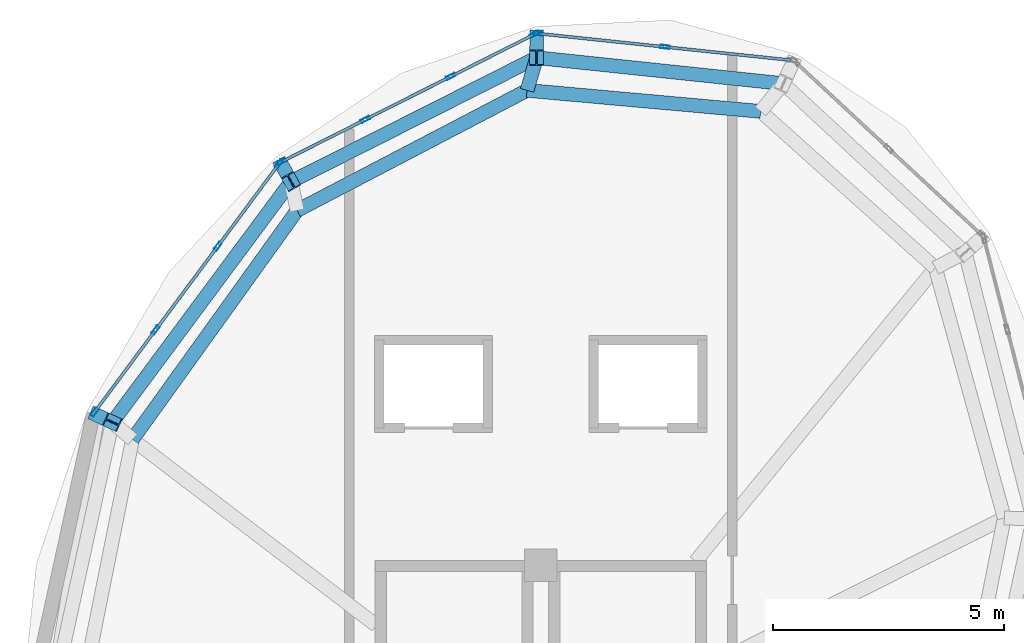
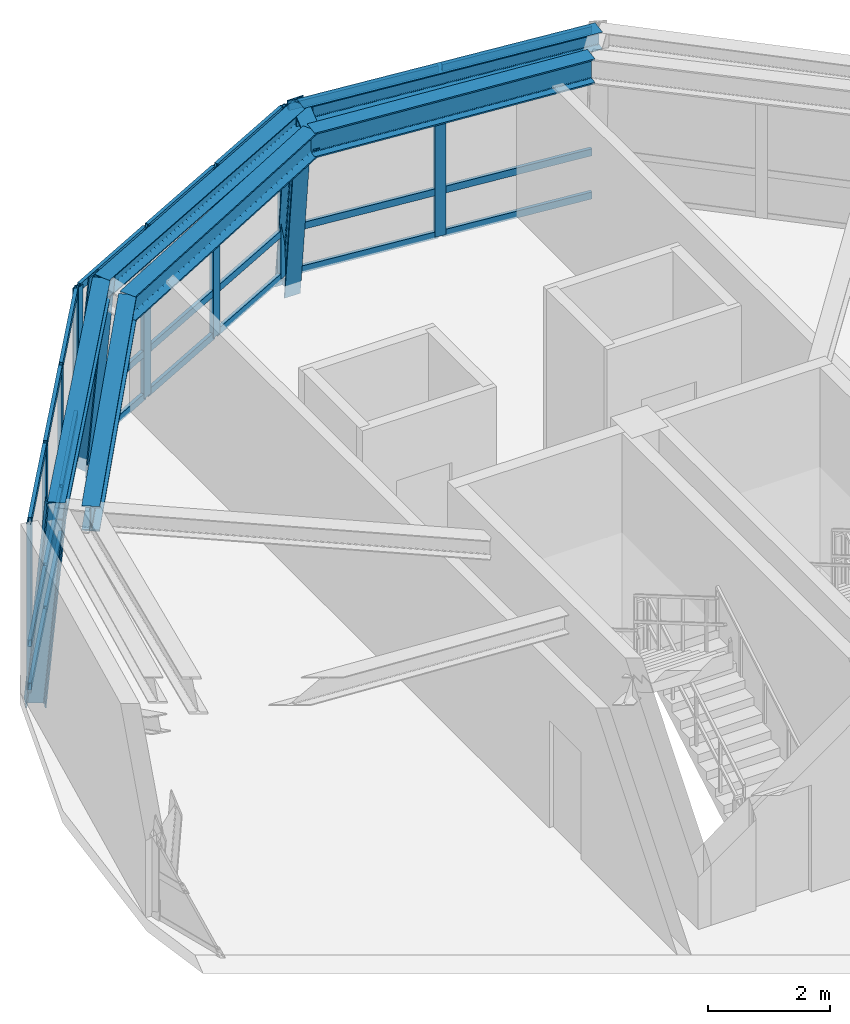
# One storey, part 5 of 9: 37 members, 7 beams, 3 elements without a shape of their own.
"""IFC4 building model written with IfcOpenShell, lengths in metres."""

from ifc_helpers import new_model, si_unit, direction, frame, origin, origin_2d, place, context, subcontext, project, spatial, hollow_rectangle, i_section, extrude, material, layer, layer_set, material_profile, profile_set, type_object, element, aggregate, save


model = new_model("IFC4")

# Units and contexts
model_context = context("Model", 3, precision=1e-05, world=origin(), true_north=direction((0.0, 1.0)))
body_context = subcontext(model_context, "Body", "Model", "MODEL_VIEW")
ifc_project = project(units=[si_unit("LENGTHUNIT", "METRE"), si_unit("AREAUNIT", "SQUARE_METRE"), si_unit("VOLUMEUNIT", "CUBIC_METRE"), si_unit("PLANEANGLEUNIT", "RADIAN"), si_unit("MASSUNIT", "GRAM", prefix="KILO"), si_unit("THERMODYNAMICTEMPERATUREUNIT", "KELVIN"), si_unit("POWERUNIT", "WATT")], contexts=[model_context])

# Site, building, storey
site_placement = place(None, origin())
site = spatial("IfcSite", under=ifc_project, at=site_placement, CompositionType="ELEMENT")
building_placement = place(site_placement, origin())
building = spatial("IfcBuilding", under=site, at=building_placement, Name="Ocrelia Relay Tower", CompositionType="ELEMENT")
storey_placement = place(building_placement, frame((0.0, 0.0, 300.0)))
storey = spatial("IfcBuildingStorey", under=building, at=storey_placement, Name="L75", CompositionType="ELEMENT", Elevation=300.0)

# Beams
ifc_material_1 = material(Name="Steel S355", Category="steel")
ifc_material_profile_1 = material_profile(ifc_material_1, i_section(OverallWidth=0.300048828125, OverallDepth=0.35009765625, WebThickness=0.010009765625, FlangeThickness=0.017578125, FilletRadius=0.027099609375, at=origin_2d()), Name="HEA 360")
ifc_profile_set_1 = profile_set([ifc_material_profile_1], Name="Steel S355")
beam_type_1 = type_object("IfcBeamType", Name="BM-HEA360", PredefinedType="SPANDREL", material=ifc_profile_set_1)
beam_1_placement = place(storey_placement, frame((39.256591796875, 37.56103515625, 3.574951171875), z_axis=(-0.994521365969, 0.104533500044, 0.0), x_axis=(-0.104533500044, -0.994521365969, 0.0)))
element("IfcBeam", 1, at=beam_1_placement, inside=storey, type_object=beam_type_1, Name="L75 Crown Faceted Ring Beam R01", PredefinedType="SPANDREL", context=body_context, shape_type="SweptSolid", body=[
    extrude(i_section(OverallWidth=0.300048828125, OverallDepth=0.35009765625, WebThickness=0.010009765625, FlangeThickness=0.017578125, FilletRadius=0.027099609375, at=origin_2d()), origin(), (0.0, 0.0, 1.0), 5.37646484375),
])
beam_2_placement = place(storey_placement, frame((33.90966796875, 38.123046875, 3.574951171875), z_axis=(-0.892750267623, -0.450551839036, 0.0), x_axis=(0.450551839036, -0.892750267623, 0.0)))
element("IfcBeam", 2, at=beam_2_placement, inside=storey, type_object=beam_type_1, Name="L75 Crown Faceted Ring Beam R02", PredefinedType="SPANDREL", context=body_context, shape_type="SweptSolid", body=[
    extrude(i_section(OverallWidth=0.300048828125, OverallDepth=0.35009765625, WebThickness=0.010009765625, FlangeThickness=0.017578125, FilletRadius=0.027099609375, at=origin_2d()), origin(), (0.0, 0.0, 1.0), 5.962158203125),
])
beam_3_placement = place(storey_placement, frame((28.5869140625, 35.436767578125, 3.574951171875), z_axis=(-0.596150293366, -0.802872859, 0.0), x_axis=(0.802872859, -0.596150293366, 0.0)))
element("IfcBeam", 3, at=beam_3_placement, inside=storey, type_object=beam_type_1, Name="L75 Crown Faceted Ring Beam R03", PredefinedType="SPANDREL", context=body_context, shape_type="SweptSolid", body=[
    extrude(i_section(OverallWidth=0.300048828125, OverallDepth=0.35009765625, WebThickness=0.010009765625, FlangeThickness=0.017578125, FilletRadius=0.027099609375, at=origin_2d()), origin(), (0.0, 0.0, 1.0), 6.49560546875),
])
ifc_material_profile_2 = material_profile(ifc_material_1, i_section(OverallWidth=0.300048828125, OverallDepth=0.449951171875, WebThickness=0.013916015625, FlangeThickness=0.02587890625, FilletRadius=0.027099609375, at=origin_2d()), Name="HEB 450")
ifc_profile_set_2 = profile_set([ifc_material_profile_2], Name="Steel S355")
beam_type_2 = type_object("IfcBeamType", Name="BM-HEB450", PredefinedType="BEAM", material=ifc_profile_set_2)
beam_4_placement = place(storey_placement, frame((33.90966796875, 38.123046875, 3.52490234375), z_axis=(-0.281396435187, -0.959591603894, 0.0), x_axis=(0.959591603894, -0.281396435187, 0.0)))
element("IfcBeam", 4, at=beam_4_placement, inside=storey, type_object=beam_type_2, Name="L75 Crown Step Radial Beam ST02", PredefinedType="BEAM", context=body_context, shape_type="SweptSolid", body=[
    extrude(i_section(OverallWidth=0.300048828125, OverallDepth=0.449951171875, WebThickness=0.013916015625, FlangeThickness=0.02587890625, FilletRadius=0.027099609375, at=origin_2d()), origin(), (0.0, 0.0, 1.0), 0.73828125),
])
ifc_material_profile_3 = material_profile(ifc_material_1, i_section(OverallWidth=0.300048828125, OverallDepth=0.5, WebThickness=0.014404296875, FlangeThickness=0.028076171875, FilletRadius=0.027099609375, at=origin_2d()), Name="HEB 500")
ifc_profile_set_3 = profile_set([ifc_material_profile_3], Name="Steel S355")
beam_type_3 = type_object("IfcBeamType", Name="BM-HEB500", PredefinedType="BEAM", material=ifc_profile_set_3)
beam_5_placement = place(storey_placement, frame((38.76513671875, 36.958984375, 3.5), z_axis=(-0.995976625152, 0.089613403854, 0.0), x_axis=(-0.089613403854, -0.995976625152, 0.0)))
element("IfcBeam", 5, at=beam_5_placement, inside=storey, type_object=beam_type_3, Name="L75 Crown Step Perimeter Ring Beam SR01", PredefinedType="BEAM", context=body_context, shape_type="SweptSolid", body=[
    extrude(i_section(OverallWidth=0.300048828125, OverallDepth=0.5, WebThickness=0.014404296875, FlangeThickness=0.028076171875, FilletRadius=0.027099609375, at=origin_2d()), origin(), (0.0, 0.0, 1.0), 5.083740234375),
])
beam_6_placement = place(storey_placement, frame((33.701904296875, 37.41455078125, 3.5), z_axis=(-0.886384222203, -0.46295033279, 0.0), x_axis=(0.46295033279, -0.886384222203, 0.0)))
element("IfcBeam", 6, at=beam_6_placement, inside=storey, type_object=beam_type_3, Name="L75 Crown Step Perimeter Ring Beam SR02", PredefinedType="BEAM", context=body_context, shape_type="SweptSolid", body=[
    extrude(i_section(OverallWidth=0.300048828125, OverallDepth=0.5, WebThickness=0.014404296875, FlangeThickness=0.028076171875, FilletRadius=0.027099609375, at=origin_2d()), origin(), (0.0, 0.0, 1.0), 5.6220703125),
])
beam_7_placement = place(storey_placement, frame((28.718505859375, 34.811767578125, 3.5), z_axis=(-0.583672255313, -0.811989346222, 0.0), x_axis=(0.811989346222, -0.583672255313, 0.0)))
element("IfcBeam", 7, at=beam_7_placement, inside=storey, type_object=beam_type_3, Name="L75 Crown Step Perimeter Ring Beam SR03", PredefinedType="BEAM", context=body_context, shape_type="SweptSolid", body=[
    extrude(i_section(OverallWidth=0.300048828125, OverallDepth=0.5, WebThickness=0.014404296875, FlangeThickness=0.028076171875, FilletRadius=0.027099609375, at=origin_2d()), origin(), (0.0, 0.0, 1.0), 6.11328125),
])

# Curtain wall, members
ifc_material_2 = material(Name="Aluminium and solar-control low-E glass", Category="aluminium")
ifc_layer = layer(ifc_material_2, 0.179931640625, Name="Aluminium and solar-control low-E glass")
ifc_layer_set = layer_set([ifc_layer], Name="Aluminium and solar-control low-E glass")
curtain_wall_type = type_object("IfcCurtainWallType", Name="CW-SYS-CROWN-PT", PredefinedType="NOTDEFINED", material=ifc_layer_set)
curtain_wall_1_placement = place(storey_placement, origin())
curtain_wall_1 = element("IfcCurtainWall", 8, at=curtain_wall_1_placement, inside=storey, type_object=curtain_wall_type, Name="L75 Faceted Glass-Point Crown Curtain Wall 01", PredefinedType="NOTDEFINED")
ifc_material_3 = material(Name="Anodised bronze aluminium", Category="aluminium")
ifc_material_profile_4 = material_profile(ifc_material_3, hollow_rectangle(XDim=0.074951171875, YDim=0.199951171875, WallThickness=0.006103515625, at=origin_2d()), Name="CW-MUL-200x75")
ifc_profile_set_4 = profile_set([ifc_material_profile_4], Name="Anodised bronze aluminium")
member_type_1 = type_object("IfcMemberType", Name="CW-SYS-CROWN-PT-MUL", PredefinedType="MULLION", material=ifc_profile_set_4)
member_1_placement = place(storey_placement, frame((36.693115234375, 38.355712890625, 0.0), z_axis=(0.0, 0.0, 1.0), x_axis=(-0.104755265388, -0.994498031357, 0.0)))
member_1 = element("IfcMember", 9, at=member_1_placement, type_object=member_type_1, Name="CW-CR mullion 2", PredefinedType="MULLION", context=body_context, shape_type="SweptSolid", body=[
    extrude(hollow_rectangle(XDim=0.074951171875, YDim=0.199951171875, WallThickness=0.006103515625, at=origin_2d()), origin(), (0.0, 0.0, 1.0), 3.389892578125),
])
member_2_placement = place(storey_placement, frame((33.939208984375, 38.645751953125, 0.0), z_axis=(0.0, 0.0, 1.0), x_axis=(-0.104755265388, -0.994498031357, 0.0)))
member_2 = element("IfcMember", 10, at=member_2_placement, type_object=member_type_1, Name="CW-CR mullion 3", PredefinedType="MULLION", context=body_context, shape_type="SweptSolid", body=[
    extrude(hollow_rectangle(XDim=0.074951171875, YDim=0.199951171875, WallThickness=0.006103515625, at=origin_2d()), origin(), (0.0, 0.0, 1.0), 3.389892578125),
])

curtain_wall_2_placement = place(storey_placement, origin())
curtain_wall_2 = element("IfcCurtainWall", 11, at=curtain_wall_2_placement, inside=storey, type_object=curtain_wall_type, Name="L75 Faceted Glass-Point Crown Curtain Wall 02", PredefinedType="NOTDEFINED")
member_3_placement = place(storey_placement, frame((33.868408203125, 38.6328125, 0.0), z_axis=(0.0, 0.0, 1.0), x_axis=(0.450232414421, -0.892911402663, 0.0)))
member_3 = element("IfcMember", 12, at=member_3_placement, type_object=member_type_1, Name="CW-CR mullion 1", PredefinedType="MULLION", context=body_context, shape_type="SweptSolid", body=[
    extrude(hollow_rectangle(XDim=0.074951171875, YDim=0.199951171875, WallThickness=0.006103515625, at=origin_2d()), origin(), (0.0, 0.0, 1.0), 3.389892578125),
])
member_4_placement = place(storey_placement, frame((32.050048828125, 37.716064453125, 0.0), z_axis=(0.0, 0.0, 1.0), x_axis=(0.450232414421, -0.892911402663, 0.0)))
member_4 = element("IfcMember", 13, at=member_4_placement, type_object=member_type_1, Name="CW-CR mullion 2", PredefinedType="MULLION", context=body_context, shape_type="SweptSolid", body=[
    extrude(hollow_rectangle(XDim=0.074951171875, YDim=0.199951171875, WallThickness=0.006103515625, at=origin_2d()), origin(), (0.0, 0.0, 1.0), 3.389892578125),
])
member_5_placement = place(storey_placement, frame((30.197998046875, 36.7822265625, 0.0), z_axis=(0.0, 0.0, 1.0), x_axis=(0.450232414421, -0.892911402663, 0.0)))
member_5 = element("IfcMember", 14, at=member_5_placement, type_object=member_type_1, Name="CW-CR mullion 3", PredefinedType="MULLION", context=body_context, shape_type="SweptSolid", body=[
    extrude(hollow_rectangle(XDim=0.074951171875, YDim=0.199951171875, WallThickness=0.006103515625, at=origin_2d()), origin(), (0.0, 0.0, 1.0), 3.389892578125),
])
member_6_placement = place(storey_placement, frame((28.37939453125, 35.865234375, 0.0), z_axis=(0.0, 0.0, 1.0), x_axis=(0.450232414421, -0.892911402663, 0.0)))
member_6 = element("IfcMember", 15, at=member_6_placement, type_object=member_type_1, Name="CW-CR mullion 4", PredefinedType="MULLION", context=body_context, shape_type="SweptSolid", body=[
    extrude(hollow_rectangle(XDim=0.074951171875, YDim=0.199951171875, WallThickness=0.006103515625, at=origin_2d()), origin(), (0.0, 0.0, 1.0), 3.389892578125),
])

curtain_wall_3_placement = place(storey_placement, origin())
curtain_wall_3 = element("IfcCurtainWall", 16, at=curtain_wall_3_placement, inside=storey, type_object=curtain_wall_type, Name="L75 Faceted Glass-Point Crown Curtain Wall 03", PredefinedType="NOTDEFINED")
member_7_placement = place(storey_placement, frame((28.32373046875, 35.818115234375, 0.0), z_axis=(0.0, 0.0, 1.0), x_axis=(0.80277674331, -0.596279716576, 0.0)))
member_7 = element("IfcMember", 17, at=member_7_placement, type_object=member_type_1, Name="CW-CR mullion 1", PredefinedType="MULLION", context=body_context, shape_type="SweptSolid", body=[
    extrude(hollow_rectangle(XDim=0.074951171875, YDim=0.199951171875, WallThickness=0.006103515625, at=origin_2d()), origin(), (0.0, 0.0, 1.0), 3.389892578125),
])
member_8_placement = place(storey_placement, frame((26.9990234375, 34.034912109375, 0.0), z_axis=(0.0, 0.0, 1.0), x_axis=(0.80277674331, -0.596279716576, 0.0)))
member_8 = element("IfcMember", 18, at=member_8_placement, type_object=member_type_1, Name="CW-CR mullion 2", PredefinedType="MULLION", context=body_context, shape_type="SweptSolid", body=[
    extrude(hollow_rectangle(XDim=0.074951171875, YDim=0.199951171875, WallThickness=0.006103515625, at=origin_2d()), origin(), (0.0, 0.0, 1.0), 3.389892578125),
])
member_9_placement = place(storey_placement, frame((25.652099609375, 32.221435546875, 0.0), z_axis=(0.0, 0.0, 1.0), x_axis=(0.80277674331, -0.596279716576, 0.0)))
member_9 = element("IfcMember", 19, at=member_9_placement, type_object=member_type_1, Name="CW-CR mullion 3", PredefinedType="MULLION", context=body_context, shape_type="SweptSolid", body=[
    extrude(hollow_rectangle(XDim=0.074951171875, YDim=0.199951171875, WallThickness=0.006103515625, at=origin_2d()), origin(), (0.0, 0.0, 1.0), 3.389892578125),
])
member_10_placement = place(storey_placement, frame((24.327392578125, 30.43798828125, 0.0), z_axis=(0.0, 0.0, 1.0), x_axis=(0.80277674331, -0.596279716576, 0.0)))
member_10 = element("IfcMember", 20, at=member_10_placement, type_object=member_type_1, Name="CW-CR mullion 4", PredefinedType="MULLION", context=body_context, shape_type="SweptSolid", body=[
    extrude(hollow_rectangle(XDim=0.074951171875, YDim=0.199951171875, WallThickness=0.006103515625, at=origin_2d()), origin(), (0.0, 0.0, 1.0), 3.389892578125),
])

# Member
ifc_material_profile_5 = material_profile(ifc_material_3, hollow_rectangle(XDim=0.06494140625, YDim=0.139892578125, WallThickness=0.0048828125, at=origin_2d()), Name="CW-TRN-140x65")
ifc_profile_set_5 = profile_set([ifc_material_profile_5], Name="Anodised bronze aluminium")
member_type_2 = type_object("IfcMemberType", Name="CW-SYS-CROWN-PT-TRN", PredefinedType="USERDEFINED", material=ifc_profile_set_5)
member_11_placement = place(storey_placement, frame((39.40966796875, 38.069580078125, 0.032470703125), z_axis=(-0.994497505021, 0.104760262056, 0.0), x_axis=(-0.104760262056, -0.994497505021, 0.0)))
member_11 = element("IfcMember", 21, at=member_11_placement, type_object=member_type_2, Name="CW-CR transom 1.1", ObjectType="TRANSOM", PredefinedType="USERDEFINED", context=body_context, shape_type="SweptSolid", body=[
    extrude(hollow_rectangle(XDim=0.06494140625, YDim=0.139892578125, WallThickness=0.0048828125, at=origin_2d()), origin(), (0.0, 0.0, 1.0), 2.694091796875),
])

member_12_placement = place(storey_placement, frame((39.40966796875, 38.069580078125, 0.89990234375), z_axis=(-0.994497505021, 0.104760262056, 0.0), x_axis=(-0.104760262056, -0.994497505021, 0.0)))
member_12 = element("IfcMember", 22, at=member_12_placement, type_object=member_type_2, Name="CW-CR transom 1.2", ObjectType="TRANSOM", PredefinedType="USERDEFINED", context=body_context, shape_type="SweptSolid", body=[
    extrude(hollow_rectangle(XDim=0.06494140625, YDim=0.139892578125, WallThickness=0.0048828125, at=origin_2d()), origin(), (0.0, 0.0, 1.0), 2.694091796875),
])

member_13_placement = place(storey_placement, frame((39.40966796875, 38.069580078125, 3.357421875), z_axis=(-0.994497505021, 0.104760262056, 0.0), x_axis=(-0.104760262056, -0.994497505021, 0.0)))
member_13 = element("IfcMember", 23, at=member_13_placement, type_object=member_type_2, Name="CW-CR transom 1.3", ObjectType="TRANSOM", PredefinedType="USERDEFINED", context=body_context, shape_type="SweptSolid", body=[
    extrude(hollow_rectangle(XDim=0.06494140625, YDim=0.139892578125, WallThickness=0.0048828125, at=origin_2d()), origin(), (0.0, 0.0, 1.0), 2.694091796875),
])

member_14_placement = place(storey_placement, frame((36.65576171875, 38.359619140625, 0.032470703125), z_axis=(-0.994497505021, 0.104760262056, 0.0), x_axis=(-0.104760262056, -0.994497505021, 0.0)))
member_14 = element("IfcMember", 24, at=member_14_placement, type_object=member_type_2, Name="CW-CR transom 2.1", ObjectType="TRANSOM", PredefinedType="USERDEFINED", context=body_context, shape_type="SweptSolid", body=[
    extrude(hollow_rectangle(XDim=0.06494140625, YDim=0.139892578125, WallThickness=0.0048828125, at=origin_2d()), origin(), (0.0, 0.0, 1.0), 2.694091796875),
])

member_15_placement = place(storey_placement, frame((36.65576171875, 38.359619140625, 0.89990234375), z_axis=(-0.994497505021, 0.104760262056, 0.0), x_axis=(-0.104760262056, -0.994497505021, 0.0)))
member_15 = element("IfcMember", 25, at=member_15_placement, type_object=member_type_2, Name="CW-CR transom 2.2", ObjectType="TRANSOM", PredefinedType="USERDEFINED", context=body_context, shape_type="SweptSolid", body=[
    extrude(hollow_rectangle(XDim=0.06494140625, YDim=0.139892578125, WallThickness=0.0048828125, at=origin_2d()), origin(), (0.0, 0.0, 1.0), 2.694091796875),
])

member_16_placement = place(storey_placement, frame((36.65576171875, 38.359619140625, 3.357421875), z_axis=(-0.994497505021, 0.104760262056, 0.0), x_axis=(-0.104760262056, -0.994497505021, 0.0)))
member_16 = element("IfcMember", 26, at=member_16_placement, type_object=member_type_2, Name="CW-CR transom 2.3", ObjectType="TRANSOM", PredefinedType="USERDEFINED", context=body_context, shape_type="SweptSolid", body=[
    extrude(hollow_rectangle(XDim=0.06494140625, YDim=0.139892578125, WallThickness=0.0048828125, at=origin_2d()), origin(), (0.0, 0.0, 1.0), 2.694091796875),
])

aggregate(curtain_wall_1, [member_1, member_2, member_11, member_12, member_13, member_14, member_15, member_16])

member_17_placement = place(storey_placement, frame((33.8349609375, 38.615966796875, 0.032470703125), z_axis=(-0.892928594713, -0.450198317128, 0.0), x_axis=(0.450198317128, -0.892928594713, 0.0)))
member_17 = element("IfcMember", 27, at=member_17_placement, type_object=member_type_2, Name="CW-CR transom 1.1", ObjectType="TRANSOM", PredefinedType="USERDEFINED", context=body_context, shape_type="SweptSolid", body=[
    extrude(hollow_rectangle(XDim=0.06494140625, YDim=0.139892578125, WallThickness=0.0048828125, at=origin_2d()), origin(), (0.0, 0.0, 1.0), 1.96142578125),
])

member_18_placement = place(storey_placement, frame((33.8349609375, 38.615966796875, 0.89990234375), z_axis=(-0.892928594713, -0.450198317128, 0.0), x_axis=(0.450198317128, -0.892928594713, 0.0)))
member_18 = element("IfcMember", 28, at=member_18_placement, type_object=member_type_2, Name="CW-CR transom 1.2", ObjectType="TRANSOM", PredefinedType="USERDEFINED", context=body_context, shape_type="SweptSolid", body=[
    extrude(hollow_rectangle(XDim=0.06494140625, YDim=0.139892578125, WallThickness=0.0048828125, at=origin_2d()), origin(), (0.0, 0.0, 1.0), 1.96142578125),
])

member_19_placement = place(storey_placement, frame((33.8349609375, 38.615966796875, 3.357421875), z_axis=(-0.892928594713, -0.450198317128, 0.0), x_axis=(0.450198317128, -0.892928594713, 0.0)))
member_19 = element("IfcMember", 29, at=member_19_placement, type_object=member_type_2, Name="CW-CR transom 1.3", ObjectType="TRANSOM", PredefinedType="USERDEFINED", context=body_context, shape_type="SweptSolid", body=[
    extrude(hollow_rectangle(XDim=0.06494140625, YDim=0.139892578125, WallThickness=0.0048828125, at=origin_2d()), origin(), (0.0, 0.0, 1.0), 1.96142578125),
])

member_20_placement = place(storey_placement, frame((32.0166015625, 37.698974609375, 0.032470703125), z_axis=(-0.892956923422, -0.450142125237, 0.0), x_axis=(0.450142125237, -0.892956923422, 0.0)))
member_20 = element("IfcMember", 30, at=member_20_placement, type_object=member_type_2, Name="CW-CR transom 2.1", ObjectType="TRANSOM", PredefinedType="USERDEFINED", context=body_context, shape_type="SweptSolid", body=[
    extrude(hollow_rectangle(XDim=0.06494140625, YDim=0.139892578125, WallThickness=0.0048828125, at=origin_2d()), origin(), (0.0, 0.0, 1.0), 1.999267578125),
])

member_21_placement = place(storey_placement, frame((32.0166015625, 37.698974609375, 0.89990234375), z_axis=(-0.892956923422, -0.450142125237, 0.0), x_axis=(0.450142125237, -0.892956923422, 0.0)))
member_21 = element("IfcMember", 31, at=member_21_placement, type_object=member_type_2, Name="CW-CR transom 2.2", ObjectType="TRANSOM", PredefinedType="USERDEFINED", context=body_context, shape_type="SweptSolid", body=[
    extrude(hollow_rectangle(XDim=0.06494140625, YDim=0.139892578125, WallThickness=0.0048828125, at=origin_2d()), origin(), (0.0, 0.0, 1.0), 1.999267578125),
])

member_22_placement = place(storey_placement, frame((32.0166015625, 37.698974609375, 3.357421875), z_axis=(-0.892956923422, -0.450142125237, 0.0), x_axis=(0.450142125237, -0.892956923422, 0.0)))
member_22 = element("IfcMember", 32, at=member_22_placement, type_object=member_type_2, Name="CW-CR transom 2.3", ObjectType="TRANSOM", PredefinedType="USERDEFINED", context=body_context, shape_type="SweptSolid", body=[
    extrude(hollow_rectangle(XDim=0.06494140625, YDim=0.139892578125, WallThickness=0.0048828125, at=origin_2d()), origin(), (0.0, 0.0, 1.0), 1.999267578125),
])

member_23_placement = place(storey_placement, frame((30.16455078125, 36.76513671875, 0.032470703125), z_axis=(-0.892928594713, -0.450198317128, 0.0), x_axis=(0.450198317128, -0.892928594713, 0.0)))
member_23 = element("IfcMember", 33, at=member_23_placement, type_object=member_type_2, Name="CW-CR transom 3.1", ObjectType="TRANSOM", PredefinedType="USERDEFINED", context=body_context, shape_type="SweptSolid", body=[
    extrude(hollow_rectangle(XDim=0.06494140625, YDim=0.139892578125, WallThickness=0.0048828125, at=origin_2d()), origin(), (0.0, 0.0, 1.0), 1.96142578125),
])

member_24_placement = place(storey_placement, frame((30.16455078125, 36.76513671875, 0.89990234375), z_axis=(-0.892928594713, -0.450198317128, 0.0), x_axis=(0.450198317128, -0.892928594713, 0.0)))
member_24 = element("IfcMember", 34, at=member_24_placement, type_object=member_type_2, Name="CW-CR transom 3.2", ObjectType="TRANSOM", PredefinedType="USERDEFINED", context=body_context, shape_type="SweptSolid", body=[
    extrude(hollow_rectangle(XDim=0.06494140625, YDim=0.139892578125, WallThickness=0.0048828125, at=origin_2d()), origin(), (0.0, 0.0, 1.0), 1.96142578125),
])

member_25_placement = place(storey_placement, frame((30.16455078125, 36.76513671875, 3.357421875), z_axis=(-0.892928594713, -0.450198317128, 0.0), x_axis=(0.450198317128, -0.892928594713, 0.0)))
member_25 = element("IfcMember", 35, at=member_25_placement, type_object=member_type_2, Name="CW-CR transom 3.3", ObjectType="TRANSOM", PredefinedType="USERDEFINED", context=body_context, shape_type="SweptSolid", body=[
    extrude(hollow_rectangle(XDim=0.06494140625, YDim=0.139892578125, WallThickness=0.0048828125, at=origin_2d()), origin(), (0.0, 0.0, 1.0), 1.96142578125),
])

aggregate(curtain_wall_2, [member_3, member_4, member_5, member_6, member_17, member_18, member_19, member_20, member_21, member_22, member_23, member_24, member_25])

member_26_placement = place(storey_placement, frame((28.30126953125, 35.7880859375, 0.032470703125), z_axis=(-0.596244419708, -0.802802959615, 0.0), x_axis=(0.802802959615, -0.596244419708, 0.0)))
member_26 = element("IfcMember", 36, at=member_26_placement, type_object=member_type_2, Name="CW-CR transom 1.1", ObjectType="TRANSOM", PredefinedType="USERDEFINED", context=body_context, shape_type="SweptSolid", body=[
    extrude(hollow_rectangle(XDim=0.06494140625, YDim=0.139892578125, WallThickness=0.0048828125, at=origin_2d()), origin(), (0.0, 0.0, 1.0), 2.146484375),
])

member_27_placement = place(storey_placement, frame((28.30126953125, 35.7880859375, 0.89990234375), z_axis=(-0.596244419708, -0.802802959615, 0.0), x_axis=(0.802802959615, -0.596244419708, 0.0)))
member_27 = element("IfcMember", 37, at=member_27_placement, type_object=member_type_2, Name="CW-CR transom 1.2", ObjectType="TRANSOM", PredefinedType="USERDEFINED", context=body_context, shape_type="SweptSolid", body=[
    extrude(hollow_rectangle(XDim=0.06494140625, YDim=0.139892578125, WallThickness=0.0048828125, at=origin_2d()), origin(), (0.0, 0.0, 1.0), 2.146484375),
])

member_28_placement = place(storey_placement, frame((28.30126953125, 35.7880859375, 3.357421875), z_axis=(-0.596244419708, -0.802802959615, 0.0), x_axis=(0.802802959615, -0.596244419708, 0.0)))
member_28 = element("IfcMember", 38, at=member_28_placement, type_object=member_type_2, Name="CW-CR transom 1.3", ObjectType="TRANSOM", PredefinedType="USERDEFINED", context=body_context, shape_type="SweptSolid", body=[
    extrude(hollow_rectangle(XDim=0.06494140625, YDim=0.139892578125, WallThickness=0.0048828125, at=origin_2d()), origin(), (0.0, 0.0, 1.0), 2.146484375),
])

member_29_placement = place(storey_placement, frame((26.9765625, 34.0048828125, 0.032470703125), z_axis=(-0.596237560512, -0.802808053918, 0.0), x_axis=(0.802808053918, -0.596237560512, 0.0)))
member_29 = element("IfcMember", 39, at=member_29_placement, type_object=member_type_2, Name="CW-CR transom 2.1", ObjectType="TRANSOM", PredefinedType="USERDEFINED", context=body_context, shape_type="SweptSolid", body=[
    extrude(hollow_rectangle(XDim=0.06494140625, YDim=0.139892578125, WallThickness=0.0048828125, at=origin_2d()), origin(), (0.0, 0.0, 1.0), 2.18408203125),
])

member_30_placement = place(storey_placement, frame((26.9765625, 34.0048828125, 0.89990234375), z_axis=(-0.596237560512, -0.802808053918, 0.0), x_axis=(0.802808053918, -0.596237560512, 0.0)))
member_30 = element("IfcMember", 40, at=member_30_placement, type_object=member_type_2, Name="CW-CR transom 2.2", ObjectType="TRANSOM", PredefinedType="USERDEFINED", context=body_context, shape_type="SweptSolid", body=[
    extrude(hollow_rectangle(XDim=0.06494140625, YDim=0.139892578125, WallThickness=0.0048828125, at=origin_2d()), origin(), (0.0, 0.0, 1.0), 2.18408203125),
])

member_31_placement = place(storey_placement, frame((26.9765625, 34.0048828125, 3.357421875), z_axis=(-0.596237560512, -0.802808053918, 0.0), x_axis=(0.802808053918, -0.596237560512, 0.0)))
member_31 = element("IfcMember", 41, at=member_31_placement, type_object=member_type_2, Name="CW-CR transom 2.3", ObjectType="TRANSOM", PredefinedType="USERDEFINED", context=body_context, shape_type="SweptSolid", body=[
    extrude(hollow_rectangle(XDim=0.06494140625, YDim=0.139892578125, WallThickness=0.0048828125, at=origin_2d()), origin(), (0.0, 0.0, 1.0), 2.18408203125),
])

member_32_placement = place(storey_placement, frame((25.629638671875, 32.19140625, 0.032470703125), z_axis=(-0.596244419708, -0.802802959615, 0.0), x_axis=(0.802802959615, -0.596244419708, 0.0)))
member_32 = element("IfcMember", 42, at=member_32_placement, type_object=member_type_2, Name="CW-CR transom 3.1", ObjectType="TRANSOM", PredefinedType="USERDEFINED", context=body_context, shape_type="SweptSolid", body=[
    extrude(hollow_rectangle(XDim=0.06494140625, YDim=0.139892578125, WallThickness=0.0048828125, at=origin_2d()), origin(), (0.0, 0.0, 1.0), 2.146484375),
])

member_33_placement = place(storey_placement, frame((25.629638671875, 32.19140625, 0.89990234375), z_axis=(-0.596244419708, -0.802802959615, 0.0), x_axis=(0.802802959615, -0.596244419708, 0.0)))
member_33 = element("IfcMember", 43, at=member_33_placement, type_object=member_type_2, Name="CW-CR transom 3.2", ObjectType="TRANSOM", PredefinedType="USERDEFINED", context=body_context, shape_type="SweptSolid", body=[
    extrude(hollow_rectangle(XDim=0.06494140625, YDim=0.139892578125, WallThickness=0.0048828125, at=origin_2d()), origin(), (0.0, 0.0, 1.0), 2.146484375),
])

member_34_placement = place(storey_placement, frame((25.629638671875, 32.19140625, 3.357421875), z_axis=(-0.596244419708, -0.802802959615, 0.0), x_axis=(0.802802959615, -0.596244419708, 0.0)))
member_34 = element("IfcMember", 44, at=member_34_placement, type_object=member_type_2, Name="CW-CR transom 3.3", ObjectType="TRANSOM", PredefinedType="USERDEFINED", context=body_context, shape_type="SweptSolid", body=[
    extrude(hollow_rectangle(XDim=0.06494140625, YDim=0.139892578125, WallThickness=0.0048828125, at=origin_2d()), origin(), (0.0, 0.0, 1.0), 2.146484375),
])

aggregate(curtain_wall_3, [member_7, member_8, member_9, member_10, member_26, member_27, member_28, member_29, member_30, member_31, member_32, member_33, member_34])

# Members
ifc_material_profile_6 = material_profile(ifc_material_1, i_section(OverallWidth=0.300048828125, OverallDepth=0.340087890625, WebThickness=0.011962890625, FlangeThickness=0.021484375, FilletRadius=0.027099609375, at=origin_2d()), Name="HEB 340")
ifc_profile_set_6 = profile_set([ifc_material_profile_6], Name="Steel S355")
member_type_3 = type_object("IfcMemberType", Name="MB-CROWN-RIB", PredefinedType="STRUT", material=ifc_profile_set_6)
member_35_placement = place(storey_placement, frame((33.91162109375, 38.55029296875, -0.25), z_axis=(-0.000485519474, -0.106207384857, 0.994343882001), x_axis=(0.999989551184, -0.004571380805, 0.0)))
element("IfcMember", 45, at=member_35_placement, inside=storey, type_object=member_type_3, Name="L75 Crown Faceted Structural Strut Rib CR02", PredefinedType="STRUT", context=body_context, shape_type="SweptSolid", body=[
    extrude(i_section(OverallWidth=0.300048828125, OverallDepth=0.340087890625, WebThickness=0.011962890625, FlangeThickness=0.021484375, FilletRadius=0.027099609375, at=origin_2d()), origin(), (0.0, 0.0, 1.0), 4.022705078125),
])
member_36_placement = place(storey_placement, frame((28.404296875, 35.76708984375, -0.25), z_axis=(0.045452394321, -0.082215360316, 0.995577578282), x_axis=(0.875162256871, 0.483829540384, 0.0)))
element("IfcMember", 46, at=member_36_placement, inside=storey, type_object=member_type_3, Name="L75 Crown Faceted Structural Strut Rib CR03", PredefinedType="STRUT", context=body_context, shape_type="SweptSolid", body=[
    extrude(i_section(OverallWidth=0.300048828125, OverallDepth=0.340087890625, WebThickness=0.011962890625, FlangeThickness=0.021484375, FilletRadius=0.027099609375, at=origin_2d()), origin(), (0.0, 0.0, 1.0), 4.017822265625),
])
member_37_placement = place(storey_placement, frame((24.39599609375, 30.36669921875, -0.25), z_axis=(0.079347609523, -0.036116842955, 0.996192516795), x_axis=(0.414275806054, 0.910151392087, 0.0)))
element("IfcMember", 47, at=member_37_placement, inside=storey, type_object=member_type_3, Name="L75 Crown Faceted Structural Strut Rib CR04", PredefinedType="STRUT", context=body_context, shape_type="SweptSolid", body=[
    extrude(i_section(OverallWidth=0.300048828125, OverallDepth=0.340087890625, WebThickness=0.011962890625, FlangeThickness=0.021484375, FilletRadius=0.027099609375, at=origin_2d()), origin(), (0.0, 0.0, 1.0), 4.015380859375),
])

save(model, "model.ifc")
